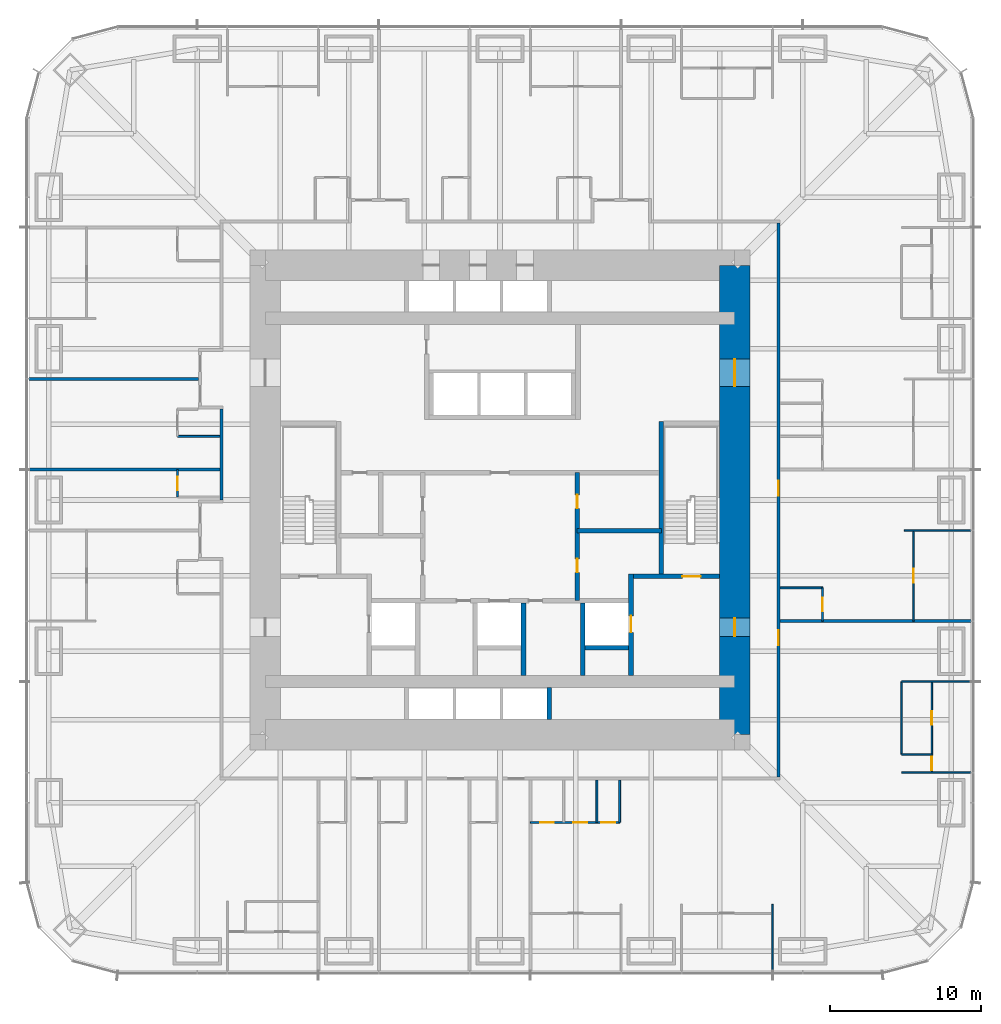
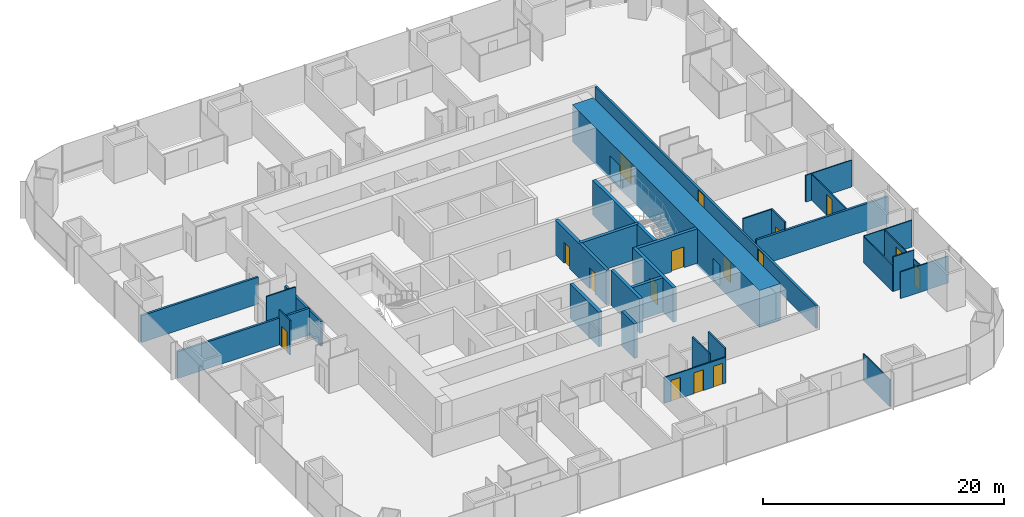
# One storey, part 13 of 17: 30 walls, 16 doors, 16 openings.
"""IFC4 building model written with IfcOpenShell, lengths in metres."""

from ifc_helpers import new_model, si_unit, direction, frame, frame_2d, origin, place, context, subcontext, project, spatial, rectangle, extrude, material, layer, layer_set, type_object, element, fill, save


model = new_model("IFC4")

# Units and contexts
model_context = context("Model", 3, precision=1e-05, world=origin(), true_north=direction((0.0, 1.0)))
body_context = subcontext(model_context, "Body", "Model", "MODEL_VIEW")
ifc_project = project(units=[si_unit("LENGTHUNIT", "METRE"), si_unit("AREAUNIT", "SQUARE_METRE"), si_unit("VOLUMEUNIT", "CUBIC_METRE"), si_unit("PLANEANGLEUNIT", "RADIAN"), si_unit("MASSUNIT", "GRAM", prefix="KILO")], contexts=[model_context])

# Site, building, storey
site_placement = place(None, origin())
site = spatial("IfcSite", under=ifc_project, at=site_placement, CompositionType="ELEMENT")
building_placement = place(site_placement, origin())
building = spatial("IfcBuilding", under=site, at=building_placement, Name="Khuree Lantern Residences", CompositionType="ELEMENT")
storey_placement = place(building_placement, frame((0.0, 0.0, 73.5)))
storey = spatial("IfcBuildingStorey", under=building, at=storey_placement, Name="L18", CompositionType="ELEMENT", Elevation=73.5)

# Wall, opening, door
ifc_material_1 = material(Name="Moisture-resistant gypsum board on steel studs", Category="steel")
ifc_layer_1 = layer(ifc_material_1, 0.125)
ifc_layer_set_1 = layer_set([ifc_layer_1], Name="BATHROOM WALL BTW125")
wall_type_1 = type_object("IfcWallType", Name="BATHROOM WALL BTW125", PredefinedType="PARTITIONING", material=ifc_layer_set_1)
wall_1_placement = place(storey_placement, frame((21.300048828125, -8.0, 0.0), z_axis=(0.0, 0.0, 1.0), x_axis=(0.0, 1.0, 0.0)))
wall_1 = element("IfcWall", 1, at=wall_1_placement, inside=storey, type_object=wall_type_1, Name="L18 BATHROOM WALL 01", PredefinedType="PARTITIONING", context=body_context, shape_type="SweptSolid", body=[
    extrude(rectangle(XDim=2.199951171875, YDim=0.125, at=frame_2d((1.10009765625, 0.0))), origin(), (0.0, 0.0, 1.0), 3.5),
])
opening_1_placement = place(wall_1_placement, frame((0.64990234375, 0.0, 0.0)))
opening_1 = element("IfcOpeningElement", 2, at=opening_1_placement, cuts=wall_1, Name="Opening 18-023", PredefinedType="OPENING", context=body_context, shape_type="SweptSolid", body=[
    extrude(rectangle(XDim=0.89990234375, YDim=2.10009765625, at=frame_2d((0.449951171875, 1.050048828125))), frame((0.0, 0.072509765625, 0.0), z_axis=(0.0, -1.0, 0.0), x_axis=(1.0, 0.0, 0.0)), (0.0, 0.0, 1.0), 0.14501953125),
])
ifc_material_2 = material(Name="Timber door leaf in hardwood frame", Category="wood")
door_type_1 = type_object("IfcDoorType", Name="BATHROOM DOOR 900X2100", OperationType="SINGLE_SWING_LEFT", PredefinedType="DOOR", material=ifc_material_2)
door_1_placement = place(opening_1_placement, origin())
door_1 = element("IfcDoor", 3, at=door_1_placement, inside=storey, type_object=door_type_1, Name="Bathroom door 18-023", OperationType="SINGLE_SWING_LEFT", OverallHeight=2.10009765625, OverallWidth=0.89990234375, PredefinedType="DOOR", context=body_context, shape_type="SweptSolid", body=[
    extrude(rectangle(XDim=0.89990234375, YDim=2.10009765625, at=frame_2d((0.449951171875, 1.050048828125))), frame((0.0, 0.02490234375, 0.0), z_axis=(0.0, -1.0, 0.0), x_axis=(1.0, 0.0, 0.0)), (0.0, 0.0, 1.0), 0.050048828125),
])
fill(opening_1, door_1)

# Walls
for number, where, z_axis, x_axis, name in (
    (4, (18.5, -5.800048828125, 0.0), (0.0, 0.0, 1.0), (1.0, 0.0, 0.0), "L18 BATHROOM WALL 01"),
    (5, (-18.5, 4.199951171875, 0.0), (0.0, 0.0, 1.0), (-1.0, 0.0, 0.0), "L18 BATHROOM WALL 07"),
):
    element("IfcWall", number, at=place(storey_placement, frame(where, z_axis=z_axis, x_axis=x_axis)), inside=storey, type_object=wall_type_1, Name=name, PredefinedType="PARTITIONING", context=body_context, shape_type="SweptSolid", body=[
        extrude(rectangle(XDim=2.800048828125, YDim=0.125, at=frame_2d((1.39990234375, 0.0))), origin(), (0.0, 0.0, 1.0), 3.5),
    ])

# Wall, opening, door
wall_2_placement = place(storey_placement, frame((-21.300048828125, 2.0, 0.0), z_axis=(0.0, 0.0, 1.0), x_axis=(0.0, -1.0, 0.0)))
wall_2 = element("IfcWall", 6, at=wall_2_placement, inside=storey, type_object=wall_type_1, Name="L18 BATHROOM WALL 08", PredefinedType="PARTITIONING", context=body_context, shape_type="SweptSolid", body=[
    extrude(rectangle(XDim=1.800048828125, YDim=0.125, at=frame_2d((0.89990234375, 0.0))), origin(), (0.0, 0.0, 1.0), 3.5),
])
opening_2_placement = place(wall_2_placement, frame((0.449951171875, 0.0, 0.0)))
opening_2 = element("IfcOpeningElement", 7, at=opening_2_placement, cuts=wall_2, Name="Opening 18-047", PredefinedType="OPENING", context=body_context, shape_type="SweptSolid", body=[
    extrude(rectangle(XDim=0.89990234375, YDim=2.10009765625, at=frame_2d((0.449951171875, 1.050048828125))), frame((0.0, 0.072509765625, 0.0), z_axis=(0.0, -1.0, 0.0), x_axis=(1.0, 0.0, 0.0)), (0.0, 0.0, 1.0), 0.14501953125),
])
door_2_placement = place(opening_2_placement, origin())
door_2 = element("IfcDoor", 8, at=door_2_placement, inside=storey, type_object=door_type_1, Name="Bathroom door 18-047", OperationType="SINGLE_SWING_LEFT", OverallHeight=2.10009765625, OverallWidth=0.89990234375, PredefinedType="DOOR", context=body_context, shape_type="SweptSolid", body=[
    extrude(rectangle(XDim=0.89990234375, YDim=2.10009765625, at=frame_2d((0.449951171875, 1.050048828125))), frame((0.0, 0.02490234375, 0.0), z_axis=(0.0, -1.0, 0.0), x_axis=(1.0, 0.0, 0.0)), (0.0, 0.0, 1.0), 0.050048828125),
])
fill(opening_2, door_2)

# Wall, openings, doors
wall_3_placement = place(storey_placement, frame((2.0, -21.300048828125, 0.0), z_axis=(0.0, 0.0, 1.0), x_axis=(1.0, 0.0, 0.0)))
wall_3 = element("IfcWall", 9, at=wall_3_placement, inside=storey, type_object=wall_type_1, Name="L18 BATHROOM WALL 13", PredefinedType="PARTITIONING", context=body_context, shape_type="SweptSolid", body=[
    extrude(rectangle(XDim=5.89990234375, YDim=0.125, at=frame_2d((2.949951171875, 0.0))), origin(), (0.0, 0.0, 1.0), 2.610107421875),
])
opening_3_placement = place(wall_3_placement, frame((0.64990234375, 0.0, 0.0)))
opening_3 = element("IfcOpeningElement", 10, at=opening_3_placement, cuts=wall_3, Name="Opening 18-064", PredefinedType="OPENING", context=body_context, shape_type="SweptSolid", body=[
    extrude(rectangle(XDim=0.89990234375, YDim=2.10009765625, at=frame_2d((0.449951171875, 1.050048828125))), frame((0.0, 0.072509765625, 0.0), z_axis=(0.0, -1.0, 0.0), x_axis=(1.0, 0.0, 0.0)), (0.0, 0.0, 1.0), 0.14501953125),
])
opening_4_placement = place(wall_3_placement, frame((2.85009765625, 0.0, 0.0)))
opening_4 = element("IfcOpeningElement", 11, at=opening_4_placement, cuts=wall_3, Name="Opening 18-065", PredefinedType="OPENING", context=body_context, shape_type="SweptSolid", body=[
    extrude(rectangle(XDim=0.89990234375, YDim=2.10009765625, at=frame_2d((0.449951171875, 1.050048828125))), frame((0.0, 0.072509765625, 0.0), z_axis=(0.0, -1.0, 0.0), x_axis=(1.0, 0.0, 0.0)), (0.0, 0.0, 1.0), 0.14501953125),
])
opening_5_placement = place(wall_3_placement, frame((4.699951171875, 0.0, 0.0)))
opening_5 = element("IfcOpeningElement", 12, at=opening_5_placement, cuts=wall_3, Name="Opening 18-066", PredefinedType="OPENING", context=body_context, shape_type="SweptSolid", body=[
    extrude(rectangle(XDim=0.89990234375, YDim=2.10009765625, at=frame_2d((0.449951171875, 1.050048828125))), frame((0.0, 0.072509765625, 0.0), z_axis=(0.0, -1.0, 0.0), x_axis=(1.0, 0.0, 0.0)), (0.0, 0.0, 1.0), 0.14501953125),
])
door_3_placement = place(opening_3_placement, origin())
door_3 = element("IfcDoor", 13, at=door_3_placement, inside=storey, type_object=door_type_1, Name="Bathroom door 18-064", OperationType="SINGLE_SWING_LEFT", OverallHeight=2.10009765625, OverallWidth=0.89990234375, PredefinedType="DOOR", context=body_context, shape_type="SweptSolid", body=[
    extrude(rectangle(XDim=0.89990234375, YDim=2.10009765625, at=frame_2d((0.449951171875, 1.050048828125))), frame((0.0, 0.02490234375, 0.0), z_axis=(0.0, -1.0, 0.0), x_axis=(1.0, 0.0, 0.0)), (0.0, 0.0, 1.0), 0.050048828125),
])
fill(opening_3, door_3)
door_4_placement = place(opening_4_placement, origin())
door_4 = element("IfcDoor", 14, at=door_4_placement, inside=storey, type_object=door_type_1, Name="Bathroom door 18-065", OperationType="SINGLE_SWING_LEFT", OverallHeight=2.10009765625, OverallWidth=0.89990234375, PredefinedType="DOOR", context=body_context, shape_type="SweptSolid", body=[
    extrude(rectangle(XDim=0.89990234375, YDim=2.10009765625, at=frame_2d((0.449951171875, 1.050048828125))), frame((0.0, 0.02490234375, 0.0), z_axis=(0.0, -1.0, 0.0), x_axis=(1.0, 0.0, 0.0)), (0.0, 0.0, 1.0), 0.050048828125),
])
fill(opening_4, door_4)
door_type_2 = type_object("IfcDoorType", Name="WC DOOR 900X2100", OperationType="SINGLE_SWING_LEFT", PredefinedType="DOOR", material=ifc_material_2)
door_5_placement = place(opening_5_placement, origin())
door_5 = element("IfcDoor", 15, at=door_5_placement, inside=storey, type_object=door_type_2, Name="WC door 18-066", OperationType="SINGLE_SWING_LEFT", OverallHeight=2.10009765625, OverallWidth=0.89990234375, PredefinedType="DOOR", context=body_context, shape_type="SweptSolid", body=[
    extrude(rectangle(XDim=0.89990234375, YDim=2.10009765625, at=frame_2d((0.449951171875, 1.050048828125))), frame((0.0, 0.02490234375, 0.0), z_axis=(0.0, -1.0, 0.0), x_axis=(1.0, 0.0, 0.0)), (0.0, 0.0, 1.0), 0.050048828125),
])
fill(opening_5, door_5)

# Walls
for number, where, z_axis, x_axis, name in (
    (16, (6.39990234375, -18.5, 0.0), (0.0, 0.0, 1.0), (0.0, -1.0, 0.0), "L18 BATHROOM WALL 13"),
    (17, (7.89990234375, -18.5, 0.0), (0.0, 0.0, 1.0), (0.0, -1.0, 0.0), "L18 BATHROOM WALL 13"),
):
    element("IfcWall", number, at=place(storey_placement, frame(where, z_axis=z_axis, x_axis=x_axis)), inside=storey, type_object=wall_type_1, Name=name, PredefinedType="PARTITIONING", context=body_context, shape_type="SweptSolid", body=[
        extrude(rectangle(XDim=2.800048828125, YDim=0.125, at=frame_2d((1.39990234375, 0.0))), origin(), (0.0, 0.0, 1.0), 3.5),
    ])

# Wall, opening, door
ifc_material_3 = material(Name="Dense concrete blockwork", Category="masonry")
ifc_layer_2 = layer(ifc_material_3, 0.300048828125)
ifc_layer_set_2 = layer_set([ifc_layer_2], Name="CORE PARTITION WALL CPW300 EI 120")
wall_type_2 = type_object("IfcWallType", Name="CORE PARTITION WALL CPW300 EI 120", PredefinedType="PARTITIONING", material=ifc_layer_set_2)
wall_4_placement = place(storey_placement, frame((8.64990234375, -11.60009765625, 0.0), z_axis=(0.0, 0.0, 1.0), x_axis=(0.0, 1.0, 0.0)))
wall_4 = element("IfcWall", 18, at=wall_4_placement, inside=storey, type_object=wall_type_2, Name="L18 CORE WALL FL2E", PredefinedType="PARTITIONING", context=body_context, shape_type="SweptSolid", body=[
    extrude(rectangle(XDim=6.7001953125, YDim=0.300048828125, at=frame_2d((3.35009765625, 0.0))), origin(), (0.0, 0.0, 1.0), 3.5),
])
opening_6_placement = place(wall_4_placement, frame((2.85009765625, 0.0, 0.0)))
opening_6 = element("IfcOpeningElement", 19, at=opening_6_placement, cuts=wall_4, Name="Opening 18-008", PredefinedType="OPENING", context=body_context, shape_type="SweptSolid", body=[
    extrude(rectangle(XDim=1.10009765625, YDim=2.10009765625, at=frame_2d((0.550048828125, 1.050048828125))), frame((0.0, 0.16015625, 0.0), z_axis=(0.0, -1.0, 0.0), x_axis=(1.0, 0.0, 0.0)), (0.0, 0.0, 1.0), 0.320068359375),
])
ifc_material_4 = material(Name="Stainless steel lift landing door", Category="steel")
door_type_3 = type_object("IfcDoorType", Name="LIFT LANDING DOOR 1100X2100 E 120", OperationType="DOUBLE_DOOR_SLIDING", PredefinedType="DOOR", material=ifc_material_4)
door_6_placement = place(opening_6_placement, origin())
door_6 = element("IfcDoor", 20, at=door_6_placement, inside=storey, type_object=door_type_3, Name="Landing door FL2 18-008", OperationType="DOUBLE_DOOR_SLIDING", OverallHeight=2.10009765625, OverallWidth=1.10009765625, PredefinedType="DOOR", context=body_context, shape_type="SweptSolid", body=[
    extrude(rectangle(XDim=1.10009765625, YDim=2.10009765625, at=frame_2d((0.550048828125, 1.050048828125))), frame((0.0, 0.02490234375, 0.0), z_axis=(0.0, -1.0, 0.0), x_axis=(1.0, 0.0, 0.0)), (0.0, 0.0, 1.0), 0.050048828125),
])
fill(opening_6, door_6)

# Walls
for number, where, z_axis, x_axis, name in (
    (21, (1.550048828125, -11.60009765625, 0.0), (0.0, 0.0, 1.0), (0.0, 1.0, 0.0), "L18 CORE WALL SL1E"),
    (22, (5.449951171875, -11.60009765625, 0.0), (0.0, 0.0, 1.0), (0.0, 1.0, 0.0), "L18 CORE WALL FL2W"),
):
    element("IfcWall", number, at=place(storey_placement, frame(where, z_axis=z_axis, x_axis=x_axis)), inside=storey, type_object=wall_type_2, Name=name, PredefinedType="PARTITIONING", context=body_context, shape_type="SweptSolid", body=[
        extrude(rectangle(XDim=4.800048828125, YDim=0.300048828125, at=frame_2d((2.39990234375, 0.0))), origin(), (0.0, 0.0, 1.0), 3.5),
    ])
wall_5_placement = place(storey_placement, frame((5.60009765625, -9.75, 0.0), z_axis=(0.0, 0.0, 1.0), x_axis=(1.0, 0.0, 0.0)))
element("IfcWall", 23, at=wall_5_placement, inside=storey, type_object=wall_type_2, Name="L18 CORE WALL FL2S", PredefinedType="PARTITIONING", context=body_context, shape_type="SweptSolid", body=[
    extrude(rectangle(XDim=2.89990234375, YDim=0.300048828125, at=frame_2d((1.449951171875, 0.0))), origin(), (0.0, 0.0, 1.0), 3.5),
])
wall_6_placement = place(storey_placement, frame((3.25, -14.5, 0.0), z_axis=(0.0, 0.0, 1.0), x_axis=(0.0, 1.0, 0.0)))
element("IfcWall", 24, at=wall_6_placement, inside=storey, type_object=wall_type_2, Name="L18 CORE WALL PME", PredefinedType="PARTITIONING", context=body_context, shape_type="SweptSolid", body=[
    extrude(rectangle(XDim=2.10009765625, YDim=0.300048828125, at=frame_2d((1.050048828125, 0.0))), origin(), (0.0, 0.0, 1.0), 3.5),
])

# Wall, openings, doors
wall_7_placement = place(storey_placement, frame((5.10009765625, -6.64990234375, 0.0), z_axis=(0.0, 0.0, 1.0), x_axis=(0.0, 1.0, 0.0)))
wall_7 = element("IfcWall", 25, at=wall_7_placement, inside=storey, type_object=wall_type_2, Name="L18 CORE WALL SVE", PredefinedType="PARTITIONING", context=body_context, shape_type="SweptSolid", body=[
    extrude(rectangle(XDim=8.449951171875, YDim=0.300048828125, at=frame_2d((4.22509765625, 0.0))), origin(), (0.0, 0.0, 1.0), 3.5),
])
opening_7_placement = place(wall_7_placement, frame((1.865966796875, 0.0, 0.0)))
opening_7 = element("IfcOpeningElement", 26, at=opening_7_placement, cuts=wall_7, Name="Opening 18-019", PredefinedType="OPENING", context=body_context, shape_type="SweptSolid", body=[
    extrude(rectangle(XDim=0.89990234375, YDim=2.10009765625, at=frame_2d((0.449951171875, 1.050048828125))), frame((0.0, 0.16015625, 0.0), z_axis=(0.0, -1.0, 0.0), x_axis=(1.0, 0.0, 0.0)), (0.0, 0.0, 1.0), 0.320068359375),
])
opening_8_placement = place(wall_7_placement, frame((6.091064453125, 0.0, 0.0)))
opening_8 = element("IfcOpeningElement", 27, at=opening_8_placement, cuts=wall_7, Name="Opening 18-020", PredefinedType="OPENING", context=body_context, shape_type="SweptSolid", body=[
    extrude(rectangle(XDim=0.89990234375, YDim=2.10009765625, at=frame_2d((0.449951171875, 1.050048828125))), frame((0.0, 0.16015625, 0.0), z_axis=(0.0, -1.0, 0.0), x_axis=(1.0, 0.0, 0.0)), (0.0, 0.0, 1.0), 0.320068359375),
])
door_type_4 = type_object("IfcDoorType", Name="DOOR 900X2100", OperationType="SINGLE_SWING_LEFT", PredefinedType="DOOR", material=ifc_material_2)
door_7_placement = place(opening_7_placement, origin())
door_7 = element("IfcDoor", 28, at=door_7_placement, inside=storey, type_object=door_type_4, Name="Bulky waste store door 18-019", OperationType="SINGLE_SWING_LEFT", OverallHeight=2.10009765625, OverallWidth=0.89990234375, PredefinedType="DOOR", context=body_context, shape_type="SweptSolid", body=[
    extrude(rectangle(XDim=0.89990234375, YDim=2.10009765625, at=frame_2d((0.449951171875, 1.050048828125))), frame((0.0, 0.02490234375, 0.0), z_axis=(0.0, -1.0, 0.0), x_axis=(1.0, 0.0, 0.0)), (0.0, 0.0, 1.0), 0.050048828125),
])
fill(opening_7, door_7)
door_type_5 = type_object("IfcDoorType", Name="DOOR 900X2100 RIGHT HAND", OperationType="SINGLE_SWING_RIGHT", PredefinedType="DOOR", material=ifc_material_2)
door_8_placement = place(opening_8_placement, origin())
door_8 = element("IfcDoor", 29, at=door_8_placement, inside=storey, type_object=door_type_5, Name="Parcel room door 18-020", OperationType="SINGLE_SWING_RIGHT", OverallHeight=2.10009765625, OverallWidth=0.89990234375, PredefinedType="DOOR", context=body_context, shape_type="SweptSolid", body=[
    extrude(rectangle(XDim=0.89990234375, YDim=2.10009765625, at=frame_2d((0.449951171875, 1.050048828125))), frame((0.0, 0.02490234375, 0.0), z_axis=(0.0, -1.0, 0.0), x_axis=(1.0, 0.0, 0.0)), (0.0, 0.0, 1.0), 0.050048828125),
])
fill(opening_8, door_8)

# Wall
wall_8_placement = place(storey_placement, frame((10.64990234375, -2.01806640625, 0.0), z_axis=(0.0, 0.0, 1.0), x_axis=(-1.0, 0.0, 0.0)))
element("IfcWall", 30, at=wall_8_placement, inside=storey, type_object=wall_type_2, Name="L18 CORE WALL EX", PredefinedType="PARTITIONING", context=body_context, shape_type="SweptSolid", body=[
    extrude(rectangle(XDim=5.5498046875, YDim=0.300048828125, at=frame_2d((2.77490234375, 0.0))), origin(), (0.0, 0.0, 1.0), 3.5),
])

# Wall, openings, doors
ifc_material_5 = material(Name="Gypsum board on steel studs", Category="steel")
ifc_layer_3 = layer(ifc_material_5, 0.199951171875)
ifc_layer_set_3 = layer_set([ifc_layer_3], Name="CORRIDOR WALL CRW200 EI 60")
wall_type_3 = type_object("IfcWallType", Name="CORRIDOR WALL CRW200 EI 60", PredefinedType="PARTITIONING", material=ifc_layer_set_3)
wall_9_placement = place(storey_placement, frame((18.39990234375, -18.300048828125, 0.0), z_axis=(0.0, 0.0, 1.0), x_axis=(0.0, 1.0, 0.0)))
wall_9 = element("IfcWall", 31, at=wall_9_placement, inside=storey, type_object=wall_type_3, Name="L18 CORRIDOR WALL EAST 1", PredefinedType="PARTITIONING", context=body_context, shape_type="SweptSolid", body=[
    extrude(rectangle(XDim=36.60009765625, YDim=0.199951171875, at=frame_2d((18.300048828125, 0.0))), origin(), (0.0, 0.0, 1.0), 2.300048828125),
])
opening_9_placement = place(wall_9_placement, frame((18.570068359375, 0.0, 0.0)))
opening_9 = element("IfcOpeningElement", 32, at=opening_9_placement, cuts=wall_9, Name="Opening 18-024", PredefinedType="OPENING", context=body_context, shape_type="SweptSolid", body=[
    extrude(rectangle(XDim=1.0, YDim=2.199951171875, at=frame_2d((0.5, 1.10009765625))), frame((0.0, 0.10986328125, 0.0), z_axis=(0.0, -1.0, 0.0), x_axis=(1.0, 0.0, 0.0)), (0.0, 0.0, 1.0), 0.219970703125),
])
opening_10_placement = place(wall_9_placement, frame((8.699951171875, 0.0, 0.0)))
opening_10 = element("IfcOpeningElement", 33, at=opening_10_placement, cuts=wall_9, Name="Opening 18-067", PredefinedType="OPENING", context=body_context, shape_type="SweptSolid", body=[
    extrude(rectangle(XDim=1.0, YDim=2.199951171875, at=frame_2d((0.5, 1.10009765625))), frame((0.0, 0.10986328125, 0.0), z_axis=(0.0, -1.0, 0.0), x_axis=(1.0, 0.0, 0.0)), (0.0, 0.0, 1.0), 0.219970703125),
])
door_type_6 = type_object("IfcDoorType", Name="APARTMENT ENTRANCE DOOR 1000X2200 EI 30S", OperationType="SINGLE_SWING_LEFT", PredefinedType="DOOR", material=ifc_material_2)
door_9_placement = place(opening_9_placement, origin())
door_9 = element("IfcDoor", 34, at=door_9_placement, inside=storey, type_object=door_type_6, Name="Apartment 01 entrance door 18-024", OperationType="SINGLE_SWING_LEFT", OverallHeight=2.199951171875, OverallWidth=1.0, PredefinedType="DOOR", context=body_context, shape_type="SweptSolid", body=[
    extrude(rectangle(XDim=1.0, YDim=2.199951171875, at=frame_2d((0.5, 1.10009765625))), frame((0.0, 0.02490234375, 0.0), z_axis=(0.0, -1.0, 0.0), x_axis=(1.0, 0.0, 0.0)), (0.0, 0.0, 1.0), 0.050048828125),
])
fill(opening_9, door_9)
door_10_placement = place(opening_10_placement, origin())
door_10 = element("IfcDoor", 35, at=door_10_placement, inside=storey, type_object=door_type_6, Name="Apartment 13 entrance door 18-067", OperationType="SINGLE_SWING_LEFT", OverallHeight=2.199951171875, OverallWidth=1.0, PredefinedType="DOOR", context=body_context, shape_type="SweptSolid", body=[
    extrude(rectangle(XDim=1.0, YDim=2.199951171875, at=frame_2d((0.5, 1.10009765625))), frame((0.0, 0.02490234375, 0.0), z_axis=(0.0, -1.0, 0.0), x_axis=(1.0, 0.0, 0.0)), (0.0, 0.0, 1.0), 0.050048828125),
])
fill(opening_10, door_10)

# Wall
wall_10_placement = place(storey_placement, frame((-18.39990234375, 6.0, 0.0), z_axis=(0.0, 0.0, 1.0), x_axis=(0.0, -1.0, 0.0)))
element("IfcWall", 36, at=wall_10_placement, inside=storey, type_object=wall_type_3, Name="L18 CORRIDOR WALL WEST 2", PredefinedType="PARTITIONING", context=body_context, shape_type="SweptSolid", body=[
    extrude(rectangle(XDim=6.0, YDim=0.199951171875, at=frame_2d((3.0, 0.0))), origin(), (0.0, 0.0, 1.0), 2.491943359375),
])

# Wall, openings, doors
ifc_material_6 = material(Name="Concrete C70/85", Category="concrete")
ifc_layer_4 = layer(ifc_material_6, 2.0)
ifc_layer_set_4 = layer_set([ifc_layer_4], Name="CW2000-C70 CORE WALL C70 2000")
wall_type_4 = type_object("IfcWallType", Name="CW2000-C70 CORE WALL C70 2000", PredefinedType="SHEAR", material=ifc_layer_set_4)
wall_11_placement = place(storey_placement, frame((15.5, -15.5, -0.25), z_axis=(0.0, 0.0, 1.0), x_axis=(0.0, 1.0, 0.0)))
wall_11 = element("IfcWall", 37, at=wall_11_placement, inside=storey, type_object=wall_type_4, Name="Core wall E", PredefinedType="SHEAR", context=body_context, shape_type="SweptSolid", body=[
    extrude(rectangle(XDim=31.0, YDim=2.0, at=frame_2d((15.5, 0.0))), origin(), (0.0, 0.0, 1.0), 3.75),
])
opening_11_placement = place(wall_11_placement, frame((6.5, 0.0, 0.25)))
opening_11 = element("IfcOpeningElement", 38, at=opening_11_placement, cuts=wall_11, Name="Opening 18-005", PredefinedType="OPENING", context=body_context, shape_type="SweptSolid", body=[
    extrude(rectangle(XDim=1.199951171875, YDim=2.10009765625, at=frame_2d((0.60009765625, 1.050048828125))), frame((0.0, 1.010009765625, 0.0), z_axis=(0.0, -1.0, 0.0), x_axis=(1.0, 0.0, 0.0)), (0.0, 0.0, 1.0), 2.02001953125),
])
opening_12_placement = place(wall_11_placement, frame((23.0, 0.0, 0.25)))
opening_12 = element("IfcOpeningElement", 39, at=opening_12_placement, cuts=wall_11, Name="Opening 18-006", PredefinedType="OPENING", context=body_context, shape_type="SweptSolid", body=[
    extrude(rectangle(XDim=1.800048828125, YDim=2.10009765625, at=frame_2d((0.89990234375, 1.050048828125))), frame((0.0, 1.010009765625, 0.0), z_axis=(0.0, -1.0, 0.0), x_axis=(1.0, 0.0, 0.0)), (0.0, 0.0, 1.0), 2.02001953125),
])
ifc_material_7 = material(Name="Steel door leaf in steel frame", Category="steel")
door_type_7 = type_object("IfcDoorType", Name="LOBBY DOOR 1200X2100 EI 120", OperationType="SINGLE_SWING_LEFT", PredefinedType="DOOR", material=ifc_material_7)
door_11_placement = place(opening_11_placement, origin())
door_11 = element("IfcDoor", 40, at=door_11_placement, inside=storey, type_object=door_type_7, Name="Firefighting lobby door 18-005", OperationType="SINGLE_SWING_LEFT", OverallHeight=2.10009765625, OverallWidth=1.199951171875, PredefinedType="DOOR", context=body_context, shape_type="SweptSolid", body=[
    extrude(rectangle(XDim=1.199951171875, YDim=2.10009765625, at=frame_2d((0.60009765625, 1.050048828125))), frame((0.0, 0.02490234375, 0.0), z_axis=(0.0, -1.0, 0.0), x_axis=(1.0, 0.0, 0.0)), (0.0, 0.0, 1.0), 0.050048828125),
])
fill(opening_11, door_11)
door_type_8 = type_object("IfcDoorType", Name="LOBBY DOUBLE DOOR 1800X2100 EI 60", OperationType="DOUBLE_DOOR_SINGLE_SWING", PredefinedType="DOOR", material=ifc_material_7)
door_12_placement = place(opening_12_placement, origin())
door_12 = element("IfcDoor", 41, at=door_12_placement, inside=storey, type_object=door_type_8, Name="Lift lobby door 18-006", OperationType="DOUBLE_DOOR_SINGLE_SWING", OverallHeight=2.10009765625, OverallWidth=1.800048828125, PredefinedType="DOOR", context=body_context, shape_type="SweptSolid", body=[
    extrude(rectangle(XDim=1.800048828125, YDim=2.10009765625, at=frame_2d((0.89990234375, 1.050048828125))), frame((0.0, 0.02490234375, 0.0), z_axis=(0.0, -1.0, 0.0), x_axis=(1.0, 0.0, 0.0)), (0.0, 0.0, 1.0), 0.050048828125),
])
fill(opening_12, door_12)

# Walls
ifc_layer_5 = layer(ifc_material_5, 0.199951171875)
ifc_layer_set_5 = layer_set([ifc_layer_5], Name="DEMISING WALL DMW200 EI 90")
wall_type_5 = type_object("IfcWallType", Name="DEMISING WALL DMW200 EI 90", PredefinedType="PARTITIONING", material=ifc_layer_set_5)
wall_12_placement = place(storey_placement, frame((18.5, -8.0, 0.0), z_axis=(0.0, 0.0, 1.0), x_axis=(1.0, 0.0, 0.0)))
element("IfcWall", 42, at=wall_12_placement, inside=storey, type_object=wall_type_5, Name="L18 DEMISING WALL 01", PredefinedType="PARTITIONING", context=body_context, shape_type="SweptSolid", body=[
    extrude(rectangle(XDim=12.60009765625, YDim=0.199951171875, at=frame_2d((6.300048828125, 0.0))), origin(), (0.0, 0.0, 1.0), 2.7099609375),
])
wall_13_placement = place(storey_placement, frame((-19.89990234375, 8.0, 0.0), z_axis=(0.0, 0.0, 1.0), x_axis=(-1.0, 0.0, 0.0)))
element("IfcWall", 43, at=wall_13_placement, inside=storey, type_object=wall_type_5, Name="L18 DEMISING WALL 07", PredefinedType="PARTITIONING", context=body_context, shape_type="SweptSolid", body=[
    extrude(rectangle(XDim=11.2001953125, YDim=0.199951171875, at=frame_2d((5.60009765625, 0.0))), origin(), (0.0, 0.0, 1.0), 2.7099609375),
])
wall_14_placement = place(storey_placement, frame((-18.5, 2.0, 0.0), z_axis=(0.0, 0.0, 1.0), x_axis=(-1.0, 0.0, 0.0)))
element("IfcWall", 44, at=wall_14_placement, inside=storey, type_object=wall_type_5, Name="L18 DEMISING WALL 08", PredefinedType="PARTITIONING", context=body_context, shape_type="SweptSolid", body=[
    extrude(rectangle(XDim=12.60009765625, YDim=0.199951171875, at=frame_2d((6.300048828125, 0.0))), origin(), (0.0, 0.0, 1.0), 2.7099609375),
])
ifc_layer_6 = layer(ifc_material_5, 0.10009765625)
ifc_layer_set_6 = layer_set([ifc_layer_6], Name="PARTITION PT100")
wall_type_6 = type_object("IfcWallType", Name="PARTITION PT100", PredefinedType="PARTITIONING", material=ifc_layer_set_6)
for number, where, z_axis, x_axis, name in (
    (45, (26.699951171875, -2.0, 0.0), (0.0, 0.0, 1.0), (1.0, 0.0, 0.0), "L18 PARTITION 01"),
    (46, (18.0, -26.699951171875, 0.0), (0.0, 0.0, 1.0), (0.0, -1.0, 0.0), "L18 PARTITION 13"),
):
    element("IfcWall", number, at=place(storey_placement, frame(where, z_axis=z_axis, x_axis=x_axis)), inside=storey, type_object=wall_type_6, Name=name, PredefinedType="PARTITIONING", context=body_context, shape_type="SweptSolid", body=[
        extrude(rectangle(XDim=4.400146484375, YDim=0.10009765625, at=frame_2d((2.2001953125, 0.0))), origin(), (0.0, 0.0, 1.0), 2.7099609375),
    ])
for number, where, z_axis, x_axis, name in (
    (47, (26.5166015625, -18.0, 0.0), (0.0, 0.0, 1.0), (1.0, 0.0, 0.0), "L18 PARTITION 13"),
    (48, (26.5166015625, -12.0, 0.0), (0.0, 0.0, 1.0), (1.0, 0.0, 0.0), "L18 PARTITION 13"),
):
    element("IfcWall", number, at=place(storey_placement, frame(where, z_axis=z_axis, x_axis=x_axis)), inside=storey, type_object=wall_type_6, Name=name, PredefinedType="PARTITIONING", context=body_context, shape_type="SweptSolid", body=[
        extrude(rectangle(XDim=4.58349609375, YDim=0.10009765625, at=frame_2d((2.291748046875, 0.0))), origin(), (0.0, 0.0, 1.0), 2.7099609375),
    ])

# Wall, opening, door
wall_15_placement = place(storey_placement, frame((27.300048828125, -8.0, 0.0), z_axis=(0.0, 0.0, 1.0), x_axis=(0.0, 1.0, 0.0)))
wall_15 = element("IfcWall", 49, at=wall_15_placement, inside=storey, type_object=wall_type_6, Name="L18 PARTITION 01", PredefinedType="PARTITIONING", context=body_context, shape_type="SweptSolid", body=[
    extrude(rectangle(XDim=6.0, YDim=0.10009765625, at=frame_2d((3.0, 0.0))), origin(), (0.0, 0.0, 1.0), 2.610107421875),
])
opening_13_placement = place(wall_15_placement, frame((2.550048828125, 0.0, 0.0)))
opening_13 = element("IfcOpeningElement", 50, at=opening_13_placement, cuts=wall_15, Name="Opening 18-022", PredefinedType="OPENING", context=body_context, shape_type="SweptSolid", body=[
    extrude(rectangle(XDim=0.89990234375, YDim=2.10009765625, at=frame_2d((0.449951171875, 1.050048828125))), frame((0.0, 0.06005859375, 0.0), z_axis=(0.0, -1.0, 0.0), x_axis=(1.0, 0.0, 0.0)), (0.0, 0.0, 1.0), 0.1201171875),
])
door_type_9 = type_object("IfcDoorType", Name="BEDROOM DOOR 900X2100", OperationType="SINGLE_SWING_LEFT", PredefinedType="DOOR", material=ifc_material_2)
door_13_placement = place(opening_13_placement, origin())
door_13 = element("IfcDoor", 51, at=door_13_placement, inside=storey, type_object=door_type_9, Name="Bedroom door 18-022", OperationType="SINGLE_SWING_LEFT", OverallHeight=2.10009765625, OverallWidth=0.89990234375, PredefinedType="DOOR", context=body_context, shape_type="SweptSolid", body=[
    extrude(rectangle(XDim=0.89990234375, YDim=2.10009765625, at=frame_2d((0.449951171875, 1.050048828125))), frame((0.0, 0.02490234375, 0.0), z_axis=(0.0, -1.0, 0.0), x_axis=(1.0, 0.0, 0.0)), (0.0, 0.0, 1.0), 0.050048828125),
])
fill(opening_13, door_13)

# Wall, openings, doors
wall_16_placement = place(storey_placement, frame((28.5166015625, -18.0, 0.0), z_axis=(0.0, 0.0, 1.0), x_axis=(0.0, 1.0, 0.0)))
wall_16 = element("IfcWall", 52, at=wall_16_placement, inside=storey, type_object=wall_type_6, Name="L18 PARTITION 13", PredefinedType="PARTITIONING", context=body_context, shape_type="SweptSolid", body=[
    extrude(rectangle(XDim=6.0, YDim=0.10009765625, at=frame_2d((3.0, 0.0))), origin(), (0.0, 0.0, 1.0), 2.610107421875),
])
opening_14_placement = place(wall_16_placement, frame((0.14990234375, 0.0, 0.0)))
opening_14 = element("IfcOpeningElement", 53, at=opening_14_placement, cuts=wall_16, Name="Opening 18-062", PredefinedType="OPENING", context=body_context, shape_type="SweptSolid", body=[
    extrude(rectangle(XDim=0.89990234375, YDim=2.10009765625, at=frame_2d((0.449951171875, 1.050048828125))), frame((0.0, 0.06005859375, 0.0), z_axis=(0.0, -1.0, 0.0), x_axis=(1.0, 0.0, 0.0)), (0.0, 0.0, 1.0), 0.1201171875),
])
opening_15_placement = place(wall_16_placement, frame((3.14990234375, 0.0, 0.0)))
opening_15 = element("IfcOpeningElement", 54, at=opening_15_placement, cuts=wall_16, Name="Opening 18-063", PredefinedType="OPENING", context=body_context, shape_type="SweptSolid", body=[
    extrude(rectangle(XDim=0.89990234375, YDim=2.10009765625, at=frame_2d((0.449951171875, 1.050048828125))), frame((0.0, 0.06005859375, 0.0), z_axis=(0.0, -1.0, 0.0), x_axis=(1.0, 0.0, 0.0)), (0.0, 0.0, 1.0), 0.1201171875),
])
door_14_placement = place(opening_14_placement, origin())
door_14 = element("IfcDoor", 55, at=door_14_placement, inside=storey, type_object=door_type_9, Name="Bedroom door 18-062", OperationType="SINGLE_SWING_LEFT", OverallHeight=2.10009765625, OverallWidth=0.89990234375, PredefinedType="DOOR", context=body_context, shape_type="SweptSolid", body=[
    extrude(rectangle(XDim=0.89990234375, YDim=2.10009765625, at=frame_2d((0.449951171875, 1.050048828125))), frame((0.0, 0.02490234375, 0.0), z_axis=(0.0, -1.0, 0.0), x_axis=(1.0, 0.0, 0.0)), (0.0, 0.0, 1.0), 0.050048828125),
])
fill(opening_14, door_14)
door_15_placement = place(opening_15_placement, origin())
door_15 = element("IfcDoor", 56, at=door_15_placement, inside=storey, type_object=door_type_4, Name="Wardrobe door 18-063", OperationType="SINGLE_SWING_LEFT", OverallHeight=2.10009765625, OverallWidth=0.89990234375, PredefinedType="DOOR", context=body_context, shape_type="SweptSolid", body=[
    extrude(rectangle(XDim=0.89990234375, YDim=2.10009765625, at=frame_2d((0.449951171875, 1.050048828125))), frame((0.0, 0.02490234375, 0.0), z_axis=(0.0, -1.0, 0.0), x_axis=(1.0, 0.0, 0.0)), (0.0, 0.0, 1.0), 0.050048828125),
])
fill(opening_15, door_15)

# Walls
wall_17_placement = place(storey_placement, frame((26.5166015625, -16.800048828125, 0.0), z_axis=(0.0, 0.0, 1.0), x_axis=(1.0, 0.0, 0.0)))
element("IfcWall", 57, at=wall_17_placement, inside=storey, type_object=wall_type_6, Name="L18 PARTITION 13", PredefinedType="PARTITIONING", context=body_context, shape_type="SweptSolid", body=[
    extrude(rectangle(XDim=2.0, YDim=0.10009765625, at=frame_2d((1.0, 0.0))), origin(), (0.0, 0.0, 1.0), 3.5),
])
wall_18_placement = place(storey_placement, frame((26.5166015625, -16.800048828125, 0.0), z_axis=(0.0, 0.0, 1.0), x_axis=(0.0, 1.0, 0.0)))
element("IfcWall", 58, at=wall_18_placement, inside=storey, type_object=wall_type_6, Name="L18 PARTITION 13", PredefinedType="PARTITIONING", context=body_context, shape_type="SweptSolid", body=[
    extrude(rectangle(XDim=4.800048828125, YDim=0.10009765625, at=frame_2d((2.39990234375, 0.0))), origin(), (0.0, 0.0, 1.0), 2.610107421875),
])
ifc_material_8 = material(Name="Concrete C50/60", Category="concrete")
ifc_layer_7 = layer(ifc_material_8, 0.300048828125)
ifc_layer_set_7 = layer_set([ifc_layer_7], Name="STAIR WALL SRW300 C50/60 REI 240")
wall_type_7 = type_object("IfcWallType", Name="STAIR WALL SRW300 C50/60 REI 240", PredefinedType="SOLIDWALL", material=ifc_layer_set_7)
wall_19_placement = place(storey_placement, frame((10.64990234375, -4.89990234375, 0.0), z_axis=(0.0, 0.0, 1.0), x_axis=(0.0, 1.0, 0.0)))
element("IfcWall", 59, at=wall_19_placement, inside=storey, type_object=wall_type_7, Name="L18 STAIR WALL ST2E", PredefinedType="SOLIDWALL", context=body_context, shape_type="SweptSolid", body=[
    extrude(rectangle(XDim=10.099853515625, YDim=0.300048828125, at=frame_2d((5.0498046875, 0.0))), origin(), (0.0, 0.0, 1.0), 3.5),
])

# Wall, opening, door
wall_20_placement = place(storey_placement, frame((14.5, -5.050048828125, 0.0), z_axis=(0.0, 0.0, 1.0), x_axis=(-1.0, 0.0, 0.0)))
wall_20 = element("IfcWall", 60, at=wall_20_placement, inside=storey, type_object=wall_type_7, Name="L18 STAIR WALL ST2S", PredefinedType="SOLIDWALL", context=body_context, shape_type="SweptSolid", body=[
    extrude(rectangle(XDim=5.699951171875, YDim=0.300048828125, at=frame_2d((2.85009765625, 0.0))), origin(), (0.0, 0.0, 1.0), 3.5),
])
opening_16_placement = place(wall_20_placement, frame((1.25, 0.0, 0.0)))
opening_16 = element("IfcOpeningElement", 61, at=opening_16_placement, cuts=wall_20, Name="Opening 18-004", PredefinedType="OPENING", context=body_context, shape_type="SweptSolid", body=[
    extrude(rectangle(XDim=1.199951171875, YDim=2.10009765625, at=frame_2d((0.60009765625, 1.050048828125))), frame((0.0, 0.16015625, 0.0), z_axis=(0.0, -1.0, 0.0), x_axis=(1.0, 0.0, 0.0)), (0.0, 0.0, 1.0), 0.320068359375),
])
door_type_10 = type_object("IfcDoorType", Name="STAIR DOOR 1200X2100 EI 120", OperationType="SINGLE_SWING_LEFT", PredefinedType="DOOR", material=ifc_material_7)
door_16_placement = place(opening_16_placement, origin())
door_16 = element("IfcDoor", 62, at=door_16_placement, inside=storey, type_object=door_type_10, Name="Stair ST2 door 18-004", OperationType="SINGLE_SWING_LEFT", OverallHeight=2.10009765625, OverallWidth=1.199951171875, PredefinedType="DOOR", context=body_context, shape_type="SweptSolid", body=[
    extrude(rectangle(XDim=1.199951171875, YDim=2.10009765625, at=frame_2d((0.60009765625, 1.050048828125))), frame((0.0, 0.02490234375, 0.0), z_axis=(0.0, -1.0, 0.0), x_axis=(1.0, 0.0, 0.0)), (0.0, 0.0, 1.0), 0.050048828125),
])
fill(opening_16, door_16)

save(model, "model.ifc")
